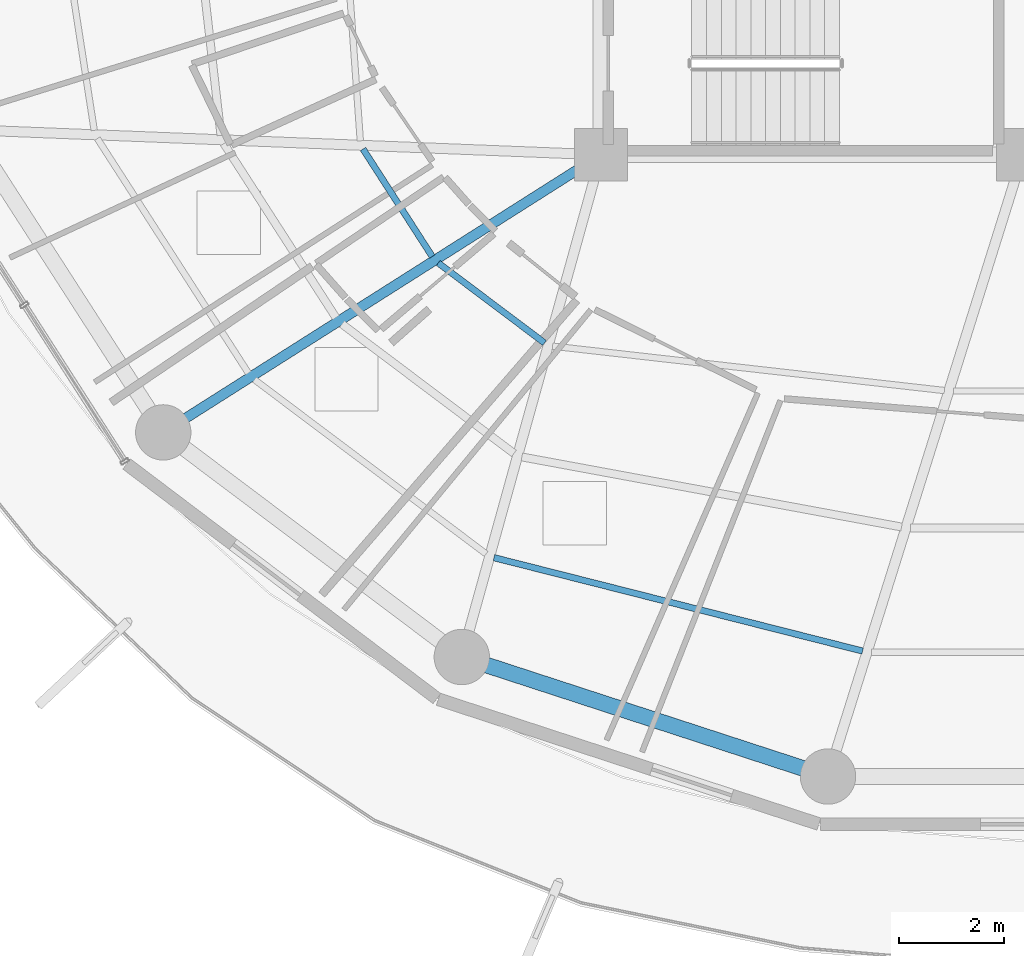
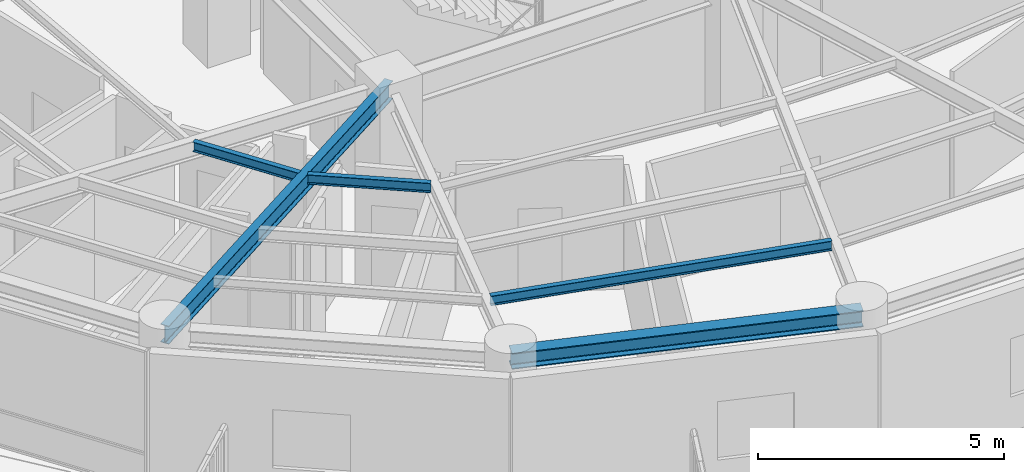
# One storey, part 3 of 30: 5 beams.
"""IFC4 building model written with IfcOpenShell, lengths in metres."""

import ifcopenshell
import ifcopenshell.guid

model = None  # the IFC model being written
_history = None  # IfcOwnerHistory: only IFC2X3 demands one
_inside = {}  # id of a spatial element -> (the spatial element, [elements in it])
_under = {}  # id of a project, library or spatial element -> (it, [spatial elements below it])
_declared = {}  # id of a project -> (the project, [libraries it declares])
_typed = {}  # id of a type object -> (the type object, [elements of that type])
_made_of = {}  # id of a material, layer set ... -> (it, [elements and type objects made of it])


def new_model(schema):
    """Start an empty IFC model of exactly this schema.

    Asked for "IFC4X3", IfcOpenShell would pick the latest addendum, in which some entities
    have other attributes; the version numbers below select the first issue.
    IFC2X3 requires an IfcOwnerHistory on every rooted entity: one is made here for all.
    """
    global model, _history
    if schema == "IFC4X3":
        model = ifcopenshell.file(schema_version=(4, 3, 0, 0))
    else:
        model = ifcopenshell.file(schema=schema)
    _inside.clear()
    _under.clear()
    _declared.clear()
    _typed.clear()
    _made_of.clear()
    _history = None
    if model.schema == "IFC2X3":
        org = make("IfcOrganization", Name="unknown")
        user = make(
            "IfcPersonAndOrganization",
            ThePerson=make("IfcPerson", FamilyName="unknown"),
            TheOrganization=org,
        )
        app = make(
            "IfcApplication",
            ApplicationDeveloper=org,
            Version="unknown",
            ApplicationFullName="unknown",
            ApplicationIdentifier="unknown",
        )
        _history = make(
            "IfcOwnerHistory",
            OwningUser=user,
            OwningApplication=app,
            ChangeAction="ADDED",
            CreationDate=0,
        )
    return model


def make(cls, **values):
    """One entity of the class cls with the attributes given. An attribute that is None is left unset."""
    return model.create_entity(
        cls, **{name: value for name, value in values.items() if value is not None}
    )


def rooted(cls, **values):
    """An entity with a GlobalId (a new one), such as an element, a storey or a relation."""
    return make(cls, GlobalId=ifcopenshell.guid.new(), OwnerHistory=_history, **values)


def si_unit(unit_type, name, prefix=None):
    """IfcSIUnit, for example si_unit("LENGTHUNIT", "METRE", prefix="MILLI")."""
    return make("IfcSIUnit", UnitType=unit_type, Prefix=prefix, Name=name)


def assignment(units):
    """IfcUnitAssignment: the units of a project."""
    return None if units is None else make("IfcUnitAssignment", Units=units)


def point(xyz):
    """IfcCartesianPoint."""
    return None if xyz is None else make("IfcCartesianPoint", Coordinates=xyz)


def direction(xyz):
    """IfcDirection."""
    return None if xyz is None else make("IfcDirection", DirectionRatios=xyz)


def frame(location, z_axis=None, x_axis=None):
    """IfcAxis2Placement3D, a coordinate frame: its origin and axes. An axis left out is left unset."""
    return make(
        "IfcAxis2Placement3D",
        Location=point(location),
        Axis=direction(z_axis),
        RefDirection=direction(x_axis),
    )


def frame_2d(location, x_axis=None):
    """IfcAxis2Placement2D, a coordinate frame in the plane: its origin and x axis."""
    return make(
        "IfcAxis2Placement2D", Location=point(location), RefDirection=direction(x_axis)
    )


def origin():
    """The frame at (0, 0, 0) with its axes left unset."""
    return frame((0.0, 0.0, 0.0))


def origin_2d():
    """The frame at (0, 0) in the plane with its x axis left unset."""
    return frame_2d((0.0, 0.0))


def place(relative_to, where):
    """IfcLocalPlacement: puts the frame where relative to a parent placement (None: the world)."""
    return make(
        "IfcLocalPlacement", PlacementRelTo=relative_to, RelativePlacement=where
    )


def context(
    kind, dimensions, precision=None, world=None, true_north=None, identifier=None
):
    """IfcGeometricRepresentationContext, for example the 3D "Model" context."""
    return make(
        "IfcGeometricRepresentationContext",
        ContextIdentifier=identifier,
        ContextType=kind,
        CoordinateSpaceDimension=dimensions,
        Precision=precision,
        WorldCoordinateSystem=world,
        TrueNorth=true_north,
    )


def subcontext(parent, identifier, kind, view, scale=None):
    """IfcGeometricRepresentationSubContext, for example "Body" below "Model"."""
    return make(
        "IfcGeometricRepresentationSubContext",
        ContextIdentifier=identifier,
        ContextType=kind,
        ParentContext=parent,
        TargetScale=scale,
        TargetView=view,
    )


def project(units=None, contexts=None):
    """IfcProject with its units and contexts."""
    return rooted(
        "IfcProject",
        Name="project",
        RepresentationContexts=contexts,
        UnitsInContext=assignment(units),
    )


def spatial(cls, under=None, at=None, **own):
    """A site, building, storey or space (cls), placed at a placement, below another one or the project."""
    s = rooted(cls, ObjectPlacement=at, **own)
    if under is not None:
        _under.setdefault(under.id(), (under, []))[1].append(s)
    return s


def profile(cls, at=None, kind="AREA", **sizes):
    """A parametric profile (cls). Its sizes go by their IFC names, for example OverallWidth=200.0."""
    return make(cls, ProfileType=kind, Position=at, **sizes)


def i_section(**sizes):
    """IfcIShapeProfileDef."""
    return profile("IfcIShapeProfileDef", **sizes)


def extrude(swept, where, along, depth):
    """IfcExtrudedAreaSolid: the profile swept, set in the frame where, extruded along a direction by depth."""
    return make(
        "IfcExtrudedAreaSolid",
        SweptArea=swept,
        Position=where,
        ExtrudedDirection=direction(along),
        Depth=depth,
    )


def shape(context_of_items, identifier, shape_type, items):
    """IfcShapeRepresentation: the items that make up one representation, for example the "Body"."""
    return make(
        "IfcShapeRepresentation",
        ContextOfItems=context_of_items,
        RepresentationIdentifier=identifier,
        RepresentationType=shape_type,
        Items=items,
    )


def material(Name=None, Category=None):
    """IfcMaterial."""
    return make("IfcMaterial", Name=Name, Category=Category)


def material_profile(
    of_material, cross_section, Name=None, Category=None, Priority=None
):
    """IfcMaterialProfile: a cross section and its material."""
    return make(
        "IfcMaterialProfile",
        Name=Name,
        Material=of_material,
        Profile=cross_section,
        Priority=Priority,
        Category=Category,
    )


def profile_set(profiles, Name=None, composite=None):
    """IfcMaterialProfileSet."""
    return make(
        "IfcMaterialProfileSet",
        Name=Name,
        MaterialProfiles=profiles,
        CompositeProfile=composite,
    )


def made_of(thing, what):
    """Note that an element or type object is made of a material, layer set ...; save() writes the relation."""
    if what is not None:
        _made_of.setdefault(what.id(), (what, []))[1].append(thing)
    return thing


def type_object(cls, material=None, **own):
    """A type object (cls), such as IfcWallType, which elements share."""
    return made_of(rooted(cls, **own), material)


def element(
    cls,
    number,
    at=None,
    inside=None,
    cuts=None,
    type_object=None,
    material=None,
    context=None,
    identifier="Body",
    shape_type=None,
    held_by="IfcProductDefinitionShape",
    body=None,
    shapes=None,
    **own,
):
    """One element of the class cls, such as IfcWall. Its Tag is "e" and its number.

    at: its placement. inside: the storey or other place that contains it. cuts: it is an
    opening in that element (IfcRelVoidsElement). A single representation is given by context,
    identifier, shape_type and body (its items); several are given by shapes. held_by: the class
    of the entity that holds the representations. save() writes the other relations.
    """
    e = rooted(cls, Tag="e%d" % number, ObjectPlacement=at, **own)
    if body is not None:
        shapes = [shape(context, identifier, shape_type, body)]
    if shapes is not None:
        e.Representation = make(held_by, Representations=shapes)
    if inside is not None:
        _inside.setdefault(inside.id(), (inside, []))[1].append(e)
    if cuts is not None:
        rooted(
            "IfcRelVoidsElement", RelatingBuildingElement=cuts, RelatedOpeningElement=e
        )
    if type_object is not None:
        _typed.setdefault(type_object.id(), (type_object, []))[1].append(e)
    return made_of(e, material)


def aggregate(whole, parts):
    """IfcRelAggregates: a whole, such as a stair, and the parts it consists of."""
    return rooted("IfcRelAggregates", RelatingObject=whole, RelatedObjects=parts)


def save(model, path):
    """Write the relations noted so far, then the file.

    IfcRelAggregates (storeys below a building ...), IfcRelContainedInSpatialStructure (elements
    in a storey), IfcRelDefinesByType, IfcRelAssociatesMaterial and IfcRelDeclares: one each for
    every whole, place, type object, material and project.
    """
    for whole, parts in _under.values():
        aggregate(whole, parts)
    for where, things in _inside.values():
        rooted(
            "IfcRelContainedInSpatialStructure",
            RelatedElements=things,
            RelatingStructure=where,
        )
    for kind, things in _typed.values():
        rooted("IfcRelDefinesByType", RelatedObjects=things, RelatingType=kind)
    for what, things in _made_of.values():
        rooted("IfcRelAssociatesMaterial", RelatedObjects=things, RelatingMaterial=what)
    for by, libraries in _declared.values():
        rooted("IfcRelDeclares", RelatingContext=by, RelatedDefinitions=libraries)
    model.write(path)


model = new_model("IFC4")

# Units and contexts
model_context = context("Model", 3, precision=1e-05, world=origin(), true_north=direction((0.0, 1.0)))
body_context = subcontext(model_context, "Body", "Model", "MODEL_VIEW")
ifc_project = project(units=[si_unit("LENGTHUNIT", "METRE"), si_unit("AREAUNIT", "SQUARE_METRE"), si_unit("VOLUMEUNIT", "CUBIC_METRE"), si_unit("PLANEANGLEUNIT", "RADIAN"), si_unit("MASSUNIT", "GRAM", prefix="KILO")], contexts=[model_context])

# Site, building, storey
site_placement = place(None, origin())
site = spatial("IfcSite", under=ifc_project, at=site_placement, CompositionType="ELEMENT")
building_placement = place(site_placement, origin())
building = spatial("IfcBuilding", under=site, at=building_placement, Name="Kelanora Arch Commons", CompositionType="ELEMENT")
storey_placement = place(building_placement, frame((0.0, 0.0, 234.449951171875)))
storey = spatial("IfcBuildingStorey", under=building, at=storey_placement, Name="L60", CompositionType="ELEMENT", Elevation=234.449951171875)

# Beams
ifc_material = material(Name="Steel S355", Category="steel")
ifc_material_profile_1 = material_profile(ifc_material, i_section(OverallWidth=0.1201171875, OverallDepth=0.239990234375, WebThickness=0.006103515625, FlangeThickness=0.009765625, FilletRadius=0.014892578125, at=origin_2d()), Name="IPE240")
ifc_profile_set_1 = profile_set([ifc_material_profile_1], Name="Steel S355")
beam_type_1 = type_object("IfcBeamType", Name="BM-JST-02", PredefinedType="JOIST", material=ifc_profile_set_1)
beam_1_placement = place(storey_placement, frame((61.4873046875, 51.10888671875, 3.3701171875), z_axis=(0.541332763503, -0.840808443796, 0.0), x_axis=(0.840808443796, 0.541332763503, 0.0)))
element("IfcBeam", 1, at=beam_1_placement, inside=storey, type_object=beam_type_1, Name="Secondary Chord Joist BJA-20 L60", PredefinedType="JOIST", context=body_context, shape_type="SweptSolid", body=[
    extrude(i_section(OverallWidth=0.1201171875, OverallDepth=0.239990234375, WebThickness=0.006103515625, FlangeThickness=0.009765625, FilletRadius=0.014892578125, at=origin_2d()), origin(), (0.0, 0.0, 1.0), 2.423583984375),
])
beam_2_placement = place(storey_placement, frame((62.913330078125, 48.948486328125, 3.3701171875), z_axis=(0.79911638933, -0.601176343766, 0.0), x_axis=(0.601176343766, 0.79911638933, 0.0)))
element("IfcBeam", 2, at=beam_2_placement, inside=storey, type_object=beam_type_1, Name="Secondary Chord Joist BJA-22 L60", PredefinedType="JOIST", context=body_context, shape_type="SweptSolid", body=[
    extrude(i_section(OverallWidth=0.1201171875, OverallDepth=0.239990234375, WebThickness=0.006103515625, FlangeThickness=0.009765625, FilletRadius=0.014892578125, at=origin_2d()), origin(), (0.0, 0.0, 1.0), 2.522216796875),
])
beam_3_placement = place(storey_placement, frame((63.970458984375, 43.360107421875, 3.3701171875), z_axis=(0.969370989998, -0.245601066263, 0.0), x_axis=(0.245601066263, 0.969370989998, 0.0)))
element("IfcBeam", 3, at=beam_3_placement, inside=storey, type_object=beam_type_1, Name="Secondary Chord Joist BJC-24 L60", PredefinedType="JOIST", context=body_context, shape_type="SweptSolid", body=[
    extrude(i_section(OverallWidth=0.1201171875, OverallDepth=0.239990234375, WebThickness=0.006103515625, FlangeThickness=0.009765625, FilletRadius=0.014892578125, at=origin_2d()), origin(), (0.0, 0.0, 1.0), 7.2119140625),
])
ifc_material_profile_2 = material_profile(ifc_material, i_section(OverallWidth=0.18994140625, OverallDepth=0.449951171875, WebThickness=0.009521484375, FlangeThickness=0.0146484375, FilletRadius=0.02099609375, at=origin_2d()), Name="IPE450")
ifc_profile_set_2 = profile_set([ifc_material_profile_2], Name="Steel S355")
beam_type_2 = type_object("IfcBeamType", Name="BM-RAD-Z4", PredefinedType="BEAM", material=ifc_profile_set_2)
beam_4_placement = place(storey_placement, frame((66.0, 51.0, 3.26513671875), z_axis=(-0.844507208607, -0.535544185489, 0.0), x_axis=(0.535544185489, -0.844507208607, 0.0)))
element("IfcBeam", 4, at=beam_4_placement, inside=storey, type_object=beam_type_2, Name="Radial Floor Girder BR-22 L60", PredefinedType="BEAM", context=body_context, shape_type="SweptSolid", body=[
    extrude(i_section(OverallWidth=0.18994140625, OverallDepth=0.449951171875, WebThickness=0.009521484375, FlangeThickness=0.0146484375, FilletRadius=0.02099609375, at=origin_2d()), origin(), (0.0, 0.0, 1.0), 9.830078125),
])
ifc_material_profile_3 = material_profile(ifc_material, i_section(OverallWidth=0.300048828125, OverallDepth=0.39990234375, WebThickness=0.013427734375, FlangeThickness=0.02392578125, FilletRadius=0.027099609375, at=origin_2d()), Name="HEB400")
ifc_profile_set_3 = profile_set([ifc_material_profile_3], Name="Steel S355")
beam_type_3 = type_object("IfcBeamType", Name="BM-SPN-Z4", PredefinedType="SPANDREL", material=ifc_profile_set_3)
beam_5_placement = place(storey_placement, frame((63.360107421875, 41.476318359375, 3.2900390625), z_axis=(0.950656361143, -0.310245842872, 0.0), x_axis=(0.310245842872, 0.950656361143, 0.0)))
element("IfcBeam", 5, at=beam_5_placement, inside=storey, type_object=beam_type_3, Name="Perimeter Spandrel Beam BS-24 L60", PredefinedType="SPANDREL", context=body_context, shape_type="SweptSolid", body=[
    extrude(i_section(OverallWidth=0.300048828125, OverallDepth=0.39990234375, WebThickness=0.013427734375, FlangeThickness=0.02392578125, FilletRadius=0.027099609375, at=origin_2d()), origin(), (0.0, 0.0, 1.0), 7.304931640625),
])

save(model, "model.ifc")
